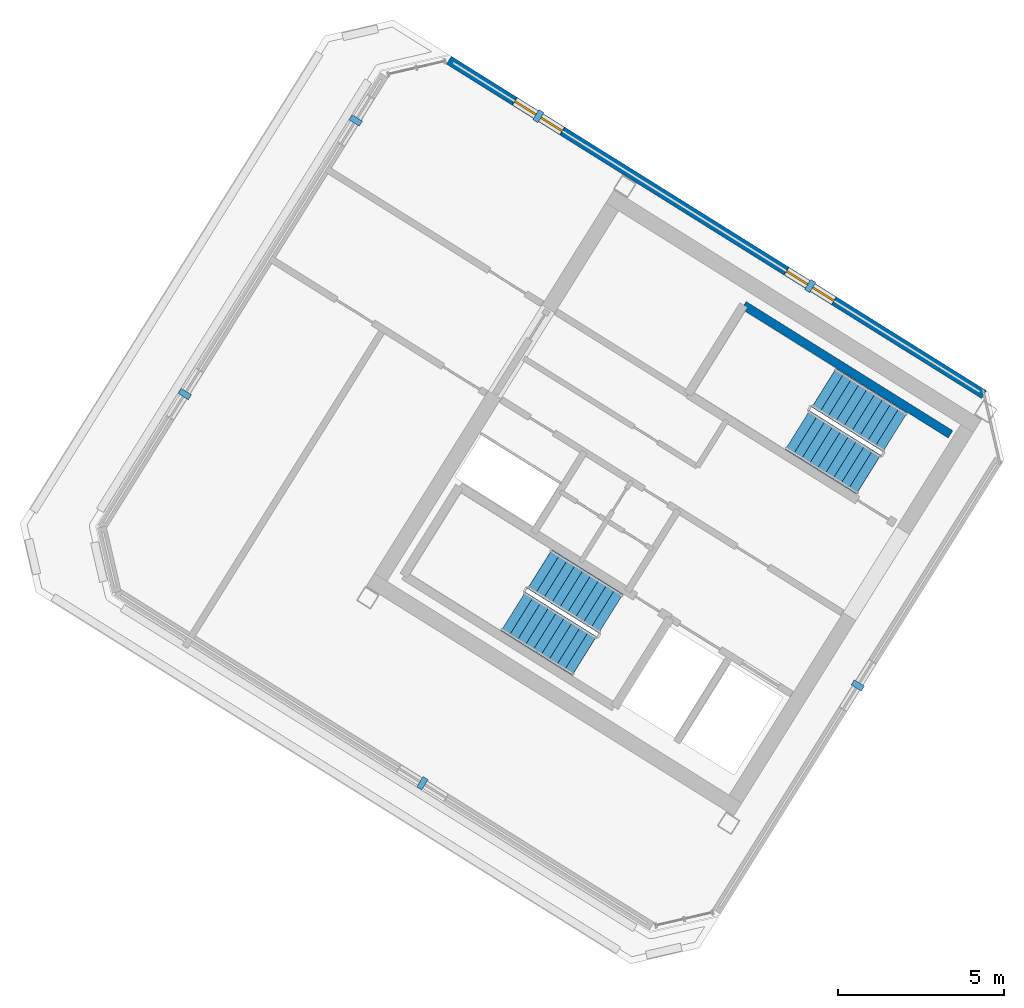
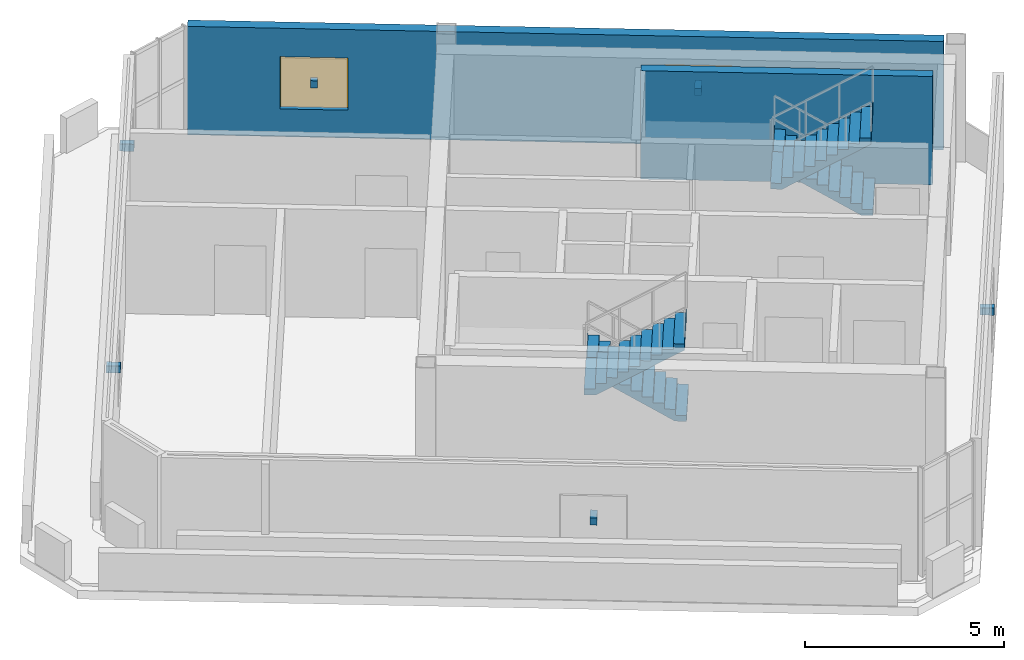
# One storey, part 6 of 9: 6 discrete accessories, 4 stair flights, 2 walls, 2 windows, 2 openings, 2 elements without a shape of their own.
"""IFC4 building model written with IfcOpenShell, lengths in metres."""

from ifc_helpers import new_model, si_unit, direction, frame, frame_2d, origin, origin_2d, place, context, subcontext, project, spatial, polyline, rectangle, outline, extrude, source, transform, mapped, material, layer, layer_set, type_object, element, fill, aggregate, save


model = new_model("IFC4")

# Units and contexts
model_context = context("Model", 3, precision=1e-05, world=origin(), true_north=direction((0.0, 1.0)))
body_context = subcontext(model_context, "Body", "Model", "MODEL_VIEW")
ifc_project = project(units=[si_unit("LENGTHUNIT", "METRE"), si_unit("AREAUNIT", "SQUARE_METRE"), si_unit("VOLUMEUNIT", "CUBIC_METRE"), si_unit("PLANEANGLEUNIT", "RADIAN"), si_unit("MASSUNIT", "GRAM", prefix="KILO")], contexts=[model_context])

# Site, building, storey
site_placement = place(None, origin())
site = spatial("IfcSite", under=ifc_project, at=site_placement, CompositionType="ELEMENT")
building_placement = place(site_placement, origin())
building = spatial("IfcBuilding", under=site, at=building_placement, Name="Tlacorven Tower", CompositionType="ELEMENT")
storey_placement = place(building_placement, frame((0.0, 0.0, 306.0)))
storey = spatial("IfcBuildingStorey", under=building, at=storey_placement, Name="L78", CompositionType="ELEMENT", Elevation=306.0)

# Wall, openings, windows
ifc_material_1 = material(Name="Precast concrete C45/55", Category="concrete")
ifc_layer_1 = layer(ifc_material_1, 0.280029296875)
ifc_layer_set_1 = layer_set([ifc_layer_1], Name="Precast concrete C45/55")
wall_type_1 = type_object("IfcWallType", Name="WL-EXT-280", PredefinedType="STANDARD", material=ifc_layer_set_1)
wall_1_placement = place(storey_placement, frame((24.631103515625, 35.044677734375, 0.0), z_axis=(0.0, 0.0, 1.0), x_axis=(0.848046707212, -0.529921487002, 0.0)))
wall_1 = element("IfcWall", 1, at=wall_1_placement, inside=storey, type_object=wall_type_1, Name="L78 Masonry-Frame Recessed Facade Wall 5", PredefinedType="STANDARD", context=body_context, shape_type="SweptSolid", body=[
    extrude(rectangle(XDim=18.984130859375, YDim=0.280029296875, at=frame_2d((9.4921875, 0.0))), origin(), (0.0, 0.0, 1.0), 3.320068359375),
])
opening_1_placement = place(wall_1_placement, frame((2.325927734375, 0.0, 0.85009765625)))
opening_1 = element("IfcOpeningElement", 2, at=opening_1_placement, cuts=wall_1, Name="Opening WN19", PredefinedType="OPENING", context=body_context, shape_type="SweptSolid", body=[
    extrude(rectangle(XDim=1.699951171875, YDim=1.60009765625, at=frame_2d((0.85009765625, 0.800048828125))), frame((0.0, 0.14990234375, 0.0), z_axis=(0.0, -1.0, 0.0), x_axis=(1.0, 0.0, 0.0)), (0.0, 0.0, 1.0), 0.300048828125),
])
opening_2_placement = place(wall_1_placement, frame((11.968017578125, 0.0, 0.85009765625)))
opening_2 = element("IfcOpeningElement", 3, at=opening_2_placement, cuts=wall_1, Name="Opening WN19", PredefinedType="OPENING", context=body_context, shape_type="SweptSolid", body=[
    extrude(rectangle(XDim=1.699951171875, YDim=1.60009765625, at=frame_2d((0.85009765625, 0.800048828125))), frame((0.0, 0.14990234375, 0.0), z_axis=(0.0, -1.0, 0.0), x_axis=(1.0, 0.0, 0.0)), (0.0, 0.0, 1.0), 0.300048828125),
])
ifc_material_2 = material(Name="Dark solar low-E double glazing in anodised aluminium frame", Category="aluminium")
window_type = type_object("IfcWindowType", Name="WN-CRN-1700X1800", PartitioningType="SINGLE_PANEL", PredefinedType="WINDOW", material=ifc_material_2)
shared_shape_1 = source(origin(), body_context, "Body", "SweptSolid", [
    extrude(rectangle(XDim=1.699951171875, YDim=1.60009765625, at=frame_2d((0.85009765625, 0.800048828125))), frame((0.0, 0.030029296875, 0.0), z_axis=(0.0, -1.0, 0.0), x_axis=(1.0, 0.0, 0.0)), (0.0, 0.0, 1.0), 0.06005859375),
])
window_1_placement = place(opening_1_placement, origin())
window_1 = element("IfcWindow", 4, at=window_1_placement, inside=storey, type_object=window_type, Name="L78 Acoustic Plant Facade Window 5.1", OverallHeight=1.60009765625, OverallWidth=1.699951171875, PartitioningType="SINGLE_PANEL", PredefinedType="WINDOW", context=body_context, shape_type="MappedRepresentation", body=[
    mapped(shared_shape_1, transform((0.0, 0.0, 0.0), scale=1.0)),
])
fill(opening_1, window_1)
window_2_placement = place(opening_2_placement, origin())
window_2 = element("IfcWindow", 5, at=window_2_placement, inside=storey, type_object=window_type, Name="L78 Acoustic Plant Facade Window 5.2", OverallHeight=1.60009765625, OverallWidth=1.699951171875, PartitioningType="SINGLE_PANEL", PredefinedType="WINDOW", context=body_context, shape_type="MappedRepresentation", body=[
    mapped(shared_shape_1, transform((0.0, 0.0, 0.0), scale=1.0)),
])
fill(opening_2, window_2)

# Wall
ifc_material_3 = material(Name="Concrete C50/60", Category="concrete")
ifc_layer_2 = layer(ifc_material_3, 0.260009765625)
ifc_layer_set_2 = layer_set([ifc_layer_2], Name="Concrete C50/60")
wall_type_2 = type_object("IfcWallType", Name="WL-STW-260", PredefinedType="SHEAR", material=ifc_layer_set_2)
wall_2_placement = place(storey_placement, frame((39.720947265625, 23.787841796875, 0.0), z_axis=(0.0, 0.0, 1.0), x_axis=(-0.848054434086, 0.529909121291, 0.0)))
element("IfcWall", 6, at=wall_2_placement, inside=storey, type_object=wall_type_2, Name="L78 Stair W2 Far Shear Wall", PredefinedType="SHEAR", context=body_context, shape_type="SweptSolid", body=[
    extrude(rectangle(XDim=7.330078125, YDim=0.260009765625, at=frame_2d((3.6650390625, 0.0))), origin(), (0.0, 0.0, 1.0), 3.320068359375),
])

# Stair, stair flights
ifc_material_4 = material(Name="Concrete C40/50", Category="concrete")
stair_type = type_object("IfcStairType", Name="ST-CORE-DLG", PredefinedType="HALF_TURN_STAIR", material=ifc_material_4)
stair_1_placement = place(storey_placement, origin())
stair_1 = element("IfcStair", 7, at=stair_1_placement, inside=storey, type_object=stair_type, Name="L78 Protected Exit Stair West 1", PredefinedType="HALF_TURN_STAIR")
stair_flight_type = type_object("IfcStairFlightType", Name="SFL-RC-1380", PredefinedType="STRAIGHT", material=ifc_material_4)
shared_shape_2 = source(origin(), body_context, "Body", "SweptSolid", [
    extrude(outline(polyline([(-0.0029296875, -0.0029296875), (-0.0029296875, 0.179931640625), (0.280029296875, 0.179931640625), (0.280029296875, 0.360107421875), (0.56005859375, 0.360107421875), (0.56005859375, 0.5400390625), (0.840087890625, 0.5400390625), (0.840087890625, 0.719970703125), (1.1201171875, 0.719970703125), (1.1201171875, 0.89990234375), (1.39990234375, 0.89990234375), (1.39990234375, 1.080078125), (1.679931640625, 1.080078125), (1.679931640625, 1.260009765625), (1.9599609375, 1.260009765625), (1.9599609375, 1.43994140625), (2.239990234375, 1.43994140625), (2.239990234375, 1.6201171875), (2.52001953125, 1.6201171875), (2.52001953125, 1.800048828125), (2.52294921875, 1.800048828125), (2.52294921875, 1.429931640625), (2.52001953125, 1.429931640625), (0.295654296875, 0.0), (0.295654296875, -0.0029296875), (-0.0029296875, -0.0029296875)])), frame((0.0, 0.68994140625, 0.0), z_axis=(0.0, -1.0, 0.0), x_axis=(1.0, 0.0, 0.0)), (0.0, 0.0, 1.0), 1.3798828125),
])
stair_flight_1_placement = place(storey_placement, frame((29.499755859375, 18.39453125, 0.0), z_axis=(0.0, 0.0, 1.0), x_axis=(-0.848048096156, 0.529919264233, 0.0)))
stair_flight_1 = element("IfcStairFlight", 8, at=stair_flight_1_placement, type_object=stair_flight_type, Name="ST-W1 flight 1", NumberOfRisers=10, NumberOfTreads=9, PredefinedType="STRAIGHT", RiserHeight=0.18, TreadLength=0.28, context=body_context, shape_type="MappedRepresentation", body=[
    mapped(shared_shape_2, transform((0.0, 0.0, 0.0), scale=1.0)),
])
stair_flight_2_placement = place(storey_placement, frame((26.56787109375, 18.4580078125, 1.800048828125), z_axis=(0.0, 0.0, 1.0), x_axis=(0.848048096156, -0.529919264233, 0.0)))
stair_flight_2 = element("IfcStairFlight", 9, at=stair_flight_2_placement, type_object=stair_flight_type, Name="ST-W1 flight 2", NumberOfRisers=10, NumberOfTreads=9, PredefinedType="STRAIGHT", RiserHeight=0.18, TreadLength=0.28, context=body_context, shape_type="MappedRepresentation", body=[
    mapped(shared_shape_2, transform((0.0, 0.0, 0.0), scale=1.0)),
])
aggregate(stair_1, [stair_flight_1, stair_flight_2])

stair_2_placement = place(storey_placement, origin())
stair_2 = element("IfcStair", 10, at=stair_2_placement, inside=storey, type_object=stair_type, Name="L78 Protected Exit Stair West 2", PredefinedType="HALF_TURN_STAIR")
stair_flight_3_placement = place(storey_placement, frame((38.051513671875, 23.852294921875, 0.0), z_axis=(0.0, 0.0, 1.0), x_axis=(-0.848048096156, 0.529919264233, 0.0)))
stair_flight_3 = element("IfcStairFlight", 11, at=stair_flight_3_placement, type_object=stair_flight_type, Name="ST-W2 flight 1", NumberOfRisers=10, NumberOfTreads=9, PredefinedType="STRAIGHT", RiserHeight=0.18, TreadLength=0.28, context=body_context, shape_type="MappedRepresentation", body=[
    mapped(shared_shape_2, transform((0.0, 0.0, 0.0), scale=1.0)),
])
stair_flight_4_placement = place(storey_placement, frame((35.119384765625, 23.91552734375, 1.800048828125), z_axis=(0.0, 0.0, 1.0), x_axis=(0.848048096156, -0.529919264233, 0.0)))
stair_flight_4 = element("IfcStairFlight", 12, at=stair_flight_4_placement, type_object=stair_flight_type, Name="ST-W2 flight 2", NumberOfRisers=10, NumberOfTreads=9, PredefinedType="STRAIGHT", RiserHeight=0.18, TreadLength=0.28, context=body_context, shape_type="MappedRepresentation", body=[
    mapped(shared_shape_2, transform((0.0, 0.0, 0.0), scale=1.0)),
])
aggregate(stair_2, [stair_flight_3, stair_flight_4])

# Discrete accessories
ifc_material_5 = material(Name="Steel S355J2", Category="steel")
discrete_accessory_type = type_object("IfcDiscreteAccessoryType", Name="ACC-BRK-01", PredefinedType="BRACKET", material=ifc_material_5)
shared_shape_3 = source(origin(), body_context, "Body", "SweptSolid", [
    extrude(rectangle(XDim=0.179931640625, YDim=0.360107421875, at=origin_2d()), origin(), (0.0, 0.0, 1.0), 0.219970703125),
])
for number, where, z_axis, x_axis, name in (
    (13, (36.933349609375, 16.23193359375, 1.5400390625), (0.0, 0.0, 1.0), (-0.52991890147, -0.848048322836, 0.0), "L78 Louvre Fixing Bracket 1.1"),
    (14, (23.83349609375, 13.2919921875, 1.5400390625), (0.0, 0.0, 1.0), (-0.848048303182, 0.529918932922, 0.0), "L78 Louvre Fixing Bracket 2.1"),
    (15, (16.682373046875, 24.99951171875, 1.5400390625), (0.0, 0.0, 1.0), (0.52991934678, 0.848048044576, 0.0), "L78 Louvre Fixing Bracket 4.1"),
    (16, (21.826171875, 33.2314453125, 1.5400390625), (0.0, 0.0, 1.0), (0.52991934678, 0.848048044576, 0.0), "L78 Louvre Fixing Bracket 4.2"),
    (17, (27.32470703125, 33.361572265625, 1.5400390625), (0.0, 0.0, 1.0), (0.848048303182, -0.529918932922, 0.0), "L78 Louvre Fixing Bracket 5.1"),
    (18, (35.50146484375, 28.252197265625, 1.5400390625), (0.0, 0.0, 1.0), (0.848048303182, -0.529918932922, 0.0), "L78 Louvre Fixing Bracket 5.2"),
):
    element("IfcDiscreteAccessory", number, at=place(storey_placement, frame(where, z_axis=z_axis, x_axis=x_axis)), inside=storey, type_object=discrete_accessory_type, Name=name, PredefinedType="BRACKET", context=body_context, shape_type="MappedRepresentation", body=[
        mapped(shared_shape_3, transform((0.0, 0.0, 0.0), scale=1.0)),
    ])

save(model, "model.ifc")
